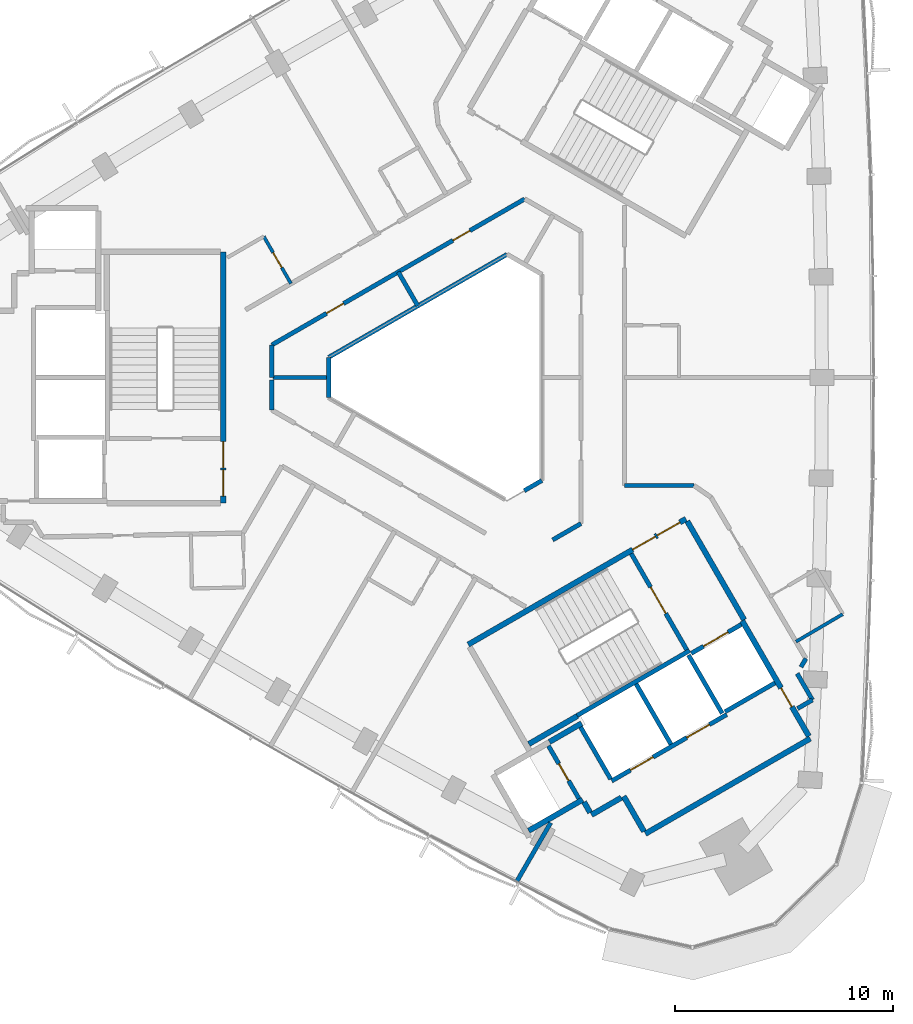
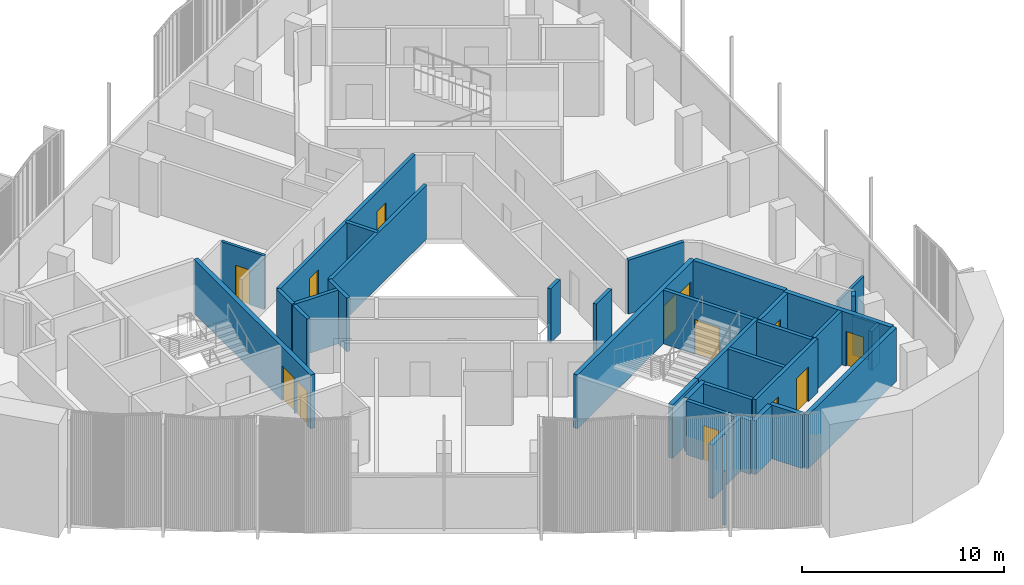
# One storey, part 9 of 16: 36 walls, 13 doors, 13 openings.
"""IFC4 building model written with IfcOpenShell, lengths in metres."""

import ifcopenshell
import ifcopenshell.guid

model = None  # the IFC model being written
_history = None  # IfcOwnerHistory: only IFC2X3 demands one
_inside = {}  # id of a spatial element -> (the spatial element, [elements in it])
_under = {}  # id of a project, library or spatial element -> (it, [spatial elements below it])
_declared = {}  # id of a project -> (the project, [libraries it declares])
_typed = {}  # id of a type object -> (the type object, [elements of that type])
_made_of = {}  # id of a material, layer set ... -> (it, [elements and type objects made of it])


def new_model(schema):
    """Start an empty IFC model of exactly this schema.

    Asked for "IFC4X3", IfcOpenShell would pick the latest addendum, in which some entities
    have other attributes; the version numbers below select the first issue.
    IFC2X3 requires an IfcOwnerHistory on every rooted entity: one is made here for all.
    """
    global model, _history
    if schema == "IFC4X3":
        model = ifcopenshell.file(schema_version=(4, 3, 0, 0))
    else:
        model = ifcopenshell.file(schema=schema)
    _inside.clear()
    _under.clear()
    _declared.clear()
    _typed.clear()
    _made_of.clear()
    _history = None
    if model.schema == "IFC2X3":
        org = make("IfcOrganization", Name="unknown")
        user = make(
            "IfcPersonAndOrganization",
            ThePerson=make("IfcPerson", FamilyName="unknown"),
            TheOrganization=org,
        )
        app = make(
            "IfcApplication",
            ApplicationDeveloper=org,
            Version="unknown",
            ApplicationFullName="unknown",
            ApplicationIdentifier="unknown",
        )
        _history = make(
            "IfcOwnerHistory",
            OwningUser=user,
            OwningApplication=app,
            ChangeAction="ADDED",
            CreationDate=0,
        )
    return model


def make(cls, **values):
    """One entity of the class cls with the attributes given. An attribute that is None is left unset."""
    return model.create_entity(
        cls, **{name: value for name, value in values.items() if value is not None}
    )


def rooted(cls, **values):
    """An entity with a GlobalId (a new one), such as an element, a storey or a relation."""
    return make(cls, GlobalId=ifcopenshell.guid.new(), OwnerHistory=_history, **values)


def si_unit(unit_type, name, prefix=None):
    """IfcSIUnit, for example si_unit("LENGTHUNIT", "METRE", prefix="MILLI")."""
    return make("IfcSIUnit", UnitType=unit_type, Prefix=prefix, Name=name)


def assignment(units):
    """IfcUnitAssignment: the units of a project."""
    return None if units is None else make("IfcUnitAssignment", Units=units)


def point(xyz):
    """IfcCartesianPoint."""
    return None if xyz is None else make("IfcCartesianPoint", Coordinates=xyz)


def direction(xyz):
    """IfcDirection."""
    return None if xyz is None else make("IfcDirection", DirectionRatios=xyz)


def frame(location, z_axis=None, x_axis=None):
    """IfcAxis2Placement3D, a coordinate frame: its origin and axes. An axis left out is left unset."""
    return make(
        "IfcAxis2Placement3D",
        Location=point(location),
        Axis=direction(z_axis),
        RefDirection=direction(x_axis),
    )


def frame_2d(location, x_axis=None):
    """IfcAxis2Placement2D, a coordinate frame in the plane: its origin and x axis."""
    return make(
        "IfcAxis2Placement2D", Location=point(location), RefDirection=direction(x_axis)
    )


def origin():
    """The frame at (0, 0, 0) with its axes left unset."""
    return frame((0.0, 0.0, 0.0))


def place(relative_to, where):
    """IfcLocalPlacement: puts the frame where relative to a parent placement (None: the world)."""
    return make(
        "IfcLocalPlacement", PlacementRelTo=relative_to, RelativePlacement=where
    )


def context(
    kind, dimensions, precision=None, world=None, true_north=None, identifier=None
):
    """IfcGeometricRepresentationContext, for example the 3D "Model" context."""
    return make(
        "IfcGeometricRepresentationContext",
        ContextIdentifier=identifier,
        ContextType=kind,
        CoordinateSpaceDimension=dimensions,
        Precision=precision,
        WorldCoordinateSystem=world,
        TrueNorth=true_north,
    )


def subcontext(parent, identifier, kind, view, scale=None):
    """IfcGeometricRepresentationSubContext, for example "Body" below "Model"."""
    return make(
        "IfcGeometricRepresentationSubContext",
        ContextIdentifier=identifier,
        ContextType=kind,
        ParentContext=parent,
        TargetScale=scale,
        TargetView=view,
    )


def project(units=None, contexts=None):
    """IfcProject with its units and contexts."""
    return rooted(
        "IfcProject",
        Name="project",
        RepresentationContexts=contexts,
        UnitsInContext=assignment(units),
    )


def spatial(cls, under=None, at=None, **own):
    """A site, building, storey or space (cls), placed at a placement, below another one or the project."""
    s = rooted(cls, ObjectPlacement=at, **own)
    if under is not None:
        _under.setdefault(under.id(), (under, []))[1].append(s)
    return s


def profile(cls, at=None, kind="AREA", **sizes):
    """A parametric profile (cls). Its sizes go by their IFC names, for example OverallWidth=200.0."""
    return make(cls, ProfileType=kind, Position=at, **sizes)


def rectangle(**sizes):
    """IfcRectangleProfileDef."""
    return profile("IfcRectangleProfileDef", **sizes)


def extrude(swept, where, along, depth):
    """IfcExtrudedAreaSolid: the profile swept, set in the frame where, extruded along a direction by depth."""
    return make(
        "IfcExtrudedAreaSolid",
        SweptArea=swept,
        Position=where,
        ExtrudedDirection=direction(along),
        Depth=depth,
    )


def shape(context_of_items, identifier, shape_type, items):
    """IfcShapeRepresentation: the items that make up one representation, for example the "Body"."""
    return make(
        "IfcShapeRepresentation",
        ContextOfItems=context_of_items,
        RepresentationIdentifier=identifier,
        RepresentationType=shape_type,
        Items=items,
    )


def material(Name=None, Category=None):
    """IfcMaterial."""
    return make("IfcMaterial", Name=Name, Category=Category)


def layer(
    of_material, thickness, ventilated=None, Name=None, Category=None, Priority=None
):
    """IfcMaterialLayer: one layer of a wall or slab, of a material (None: an air gap)."""
    return make(
        "IfcMaterialLayer",
        Material=of_material,
        LayerThickness=thickness,
        IsVentilated=ventilated,
        Name=Name,
        Category=Category,
        Priority=Priority,
    )


def layer_set(layers, Name=None):
    """IfcMaterialLayerSet."""
    return make("IfcMaterialLayerSet", MaterialLayers=layers, LayerSetName=Name)


def made_of(thing, what):
    """Note that an element or type object is made of a material, layer set ...; save() writes the relation."""
    if what is not None:
        _made_of.setdefault(what.id(), (what, []))[1].append(thing)
    return thing


def type_object(cls, material=None, **own):
    """A type object (cls), such as IfcWallType, which elements share."""
    return made_of(rooted(cls, **own), material)


def element(
    cls,
    number,
    at=None,
    inside=None,
    cuts=None,
    type_object=None,
    material=None,
    context=None,
    identifier="Body",
    shape_type=None,
    held_by="IfcProductDefinitionShape",
    body=None,
    shapes=None,
    **own,
):
    """One element of the class cls, such as IfcWall. Its Tag is "e" and its number.

    at: its placement. inside: the storey or other place that contains it. cuts: it is an
    opening in that element (IfcRelVoidsElement). A single representation is given by context,
    identifier, shape_type and body (its items); several are given by shapes. held_by: the class
    of the entity that holds the representations. save() writes the other relations.
    """
    e = rooted(cls, Tag="e%d" % number, ObjectPlacement=at, **own)
    if body is not None:
        shapes = [shape(context, identifier, shape_type, body)]
    if shapes is not None:
        e.Representation = make(held_by, Representations=shapes)
    if inside is not None:
        _inside.setdefault(inside.id(), (inside, []))[1].append(e)
    if cuts is not None:
        rooted(
            "IfcRelVoidsElement", RelatingBuildingElement=cuts, RelatedOpeningElement=e
        )
    if type_object is not None:
        _typed.setdefault(type_object.id(), (type_object, []))[1].append(e)
    return made_of(e, material)


def fill(opening, filler):
    """IfcRelFillsElement: the door or window that sits in an opening."""
    return rooted(
        "IfcRelFillsElement",
        RelatingOpeningElement=opening,
        RelatedBuildingElement=filler,
    )


def aggregate(whole, parts):
    """IfcRelAggregates: a whole, such as a stair, and the parts it consists of."""
    return rooted("IfcRelAggregates", RelatingObject=whole, RelatedObjects=parts)


def save(model, path):
    """Write the relations noted so far, then the file.

    IfcRelAggregates (storeys below a building ...), IfcRelContainedInSpatialStructure (elements
    in a storey), IfcRelDefinesByType, IfcRelAssociatesMaterial and IfcRelDeclares: one each for
    every whole, place, type object, material and project.
    """
    for whole, parts in _under.values():
        aggregate(whole, parts)
    for where, things in _inside.values():
        rooted(
            "IfcRelContainedInSpatialStructure",
            RelatedElements=things,
            RelatingStructure=where,
        )
    for kind, things in _typed.values():
        rooted("IfcRelDefinesByType", RelatedObjects=things, RelatingType=kind)
    for what, things in _made_of.values():
        rooted("IfcRelAssociatesMaterial", RelatedObjects=things, RelatingMaterial=what)
    for by, libraries in _declared.values():
        rooted("IfcRelDeclares", RelatingContext=by, RelatedDefinitions=libraries)
    model.write(path)


model = new_model("IFC4")

# Units and contexts
model_context = context("Model", 3, precision=1e-05, world=origin(), true_north=direction((0.0, 1.0)))
body_context = subcontext(model_context, "Body", "Model", "MODEL_VIEW")
ifc_project = project(units=[si_unit("LENGTHUNIT", "METRE"), si_unit("AREAUNIT", "SQUARE_METRE"), si_unit("VOLUMEUNIT", "CUBIC_METRE"), si_unit("PLANEANGLEUNIT", "RADIAN"), si_unit("MASSUNIT", "GRAM", prefix="KILO")], contexts=[model_context])

# Site, building, storey
site_placement = place(None, origin())
site = spatial("IfcSite", under=ifc_project, at=site_placement, CompositionType="ELEMENT")
building_placement = place(site_placement, origin())
building = spatial("IfcBuilding", under=site, at=building_placement, Name="Tamra Quay Hotel Tower", CompositionType="ELEMENT")
storey_placement = place(building_placement, frame((0.0, 0.0, 232.199951171875)))
storey = spatial("IfcBuildingStorey", under=building, at=storey_placement, Name="L58", CompositionType="ELEMENT", Elevation=232.199951171875)

# Wall
ifc_material_1 = material(Name="Concrete M70", Category="concrete")
ifc_layer_1 = layer(ifc_material_1, 0.199951171875)
ifc_layer_set_1 = layer_set([ifc_layer_1], Name="Concrete M70 core wall 200")
wall_type_1 = type_object("IfcWallType", Name="Concrete M70 core wall 200", PredefinedType="SHEAR", material=ifc_layer_set_1)
wall_1_placement = place(storey_placement, frame((5.4189453125, -15.533935546875, 0.0), z_axis=(0.0, 0.0, 1.0), x_axis=(0.866029065029, 0.499993658486, 0.0)))
element("IfcWall", 1, at=wall_1_placement, inside=storey, type_object=wall_type_1, Name="CW2", PredefinedType="SHEAR", context=body_context, shape_type="SweptSolid", body=[
    extrude(rectangle(XDim=5.97412109375, YDim=0.199951171875, at=frame_2d((2.987060546875, 0.0))), origin(), (0.0, 0.0, 1.0), 3.25),
])

# Wall, openings, doors
wall_2_placement = place(storey_placement, frame((7.009765625, -18.54150390625, 0.0), z_axis=(0.0, 0.0, 1.0), x_axis=(0.866030299012, 0.499991521122, 0.0)))
wall_2 = element("IfcWall", 2, at=wall_2_placement, inside=storey, type_object=wall_type_1, Name="CW2", PredefinedType="SHEAR", context=body_context, shape_type="SweptSolid", body=[
    extrude(rectangle(XDim=6.10009765625, YDim=0.199951171875, at=frame_2d((3.050048828125, 0.0))), origin(), (0.0, 0.0, 1.0), 3.25),
])
opening_1_placement = place(wall_2_placement, frame((1.0, 0.0, 0.0)))
opening_1 = element("IfcOpeningElement", 3, at=opening_1_placement, cuts=wall_2, Name="Opening LD", PredefinedType="OPENING", context=body_context, shape_type="SweptSolid", body=[
    extrude(rectangle(XDim=1.199951171875, YDim=2.10009765625, at=frame_2d((0.60009765625, 1.050048828125))), frame((0.0, 0.10986328125, 0.0), z_axis=(0.0, -1.0, 0.0), x_axis=(1.0, 0.0, 0.0)), (0.0, 0.0, 1.0), 0.219970703125),
])
opening_2_placement = place(wall_2_placement, frame((3.982177734375, 0.0, 0.0)))
opening_2 = element("IfcOpeningElement", 4, at=opening_2_placement, cuts=wall_2, Name="Opening LD", PredefinedType="OPENING", context=body_context, shape_type="SweptSolid", body=[
    extrude(rectangle(XDim=1.199951171875, YDim=2.10009765625, at=frame_2d((0.60009765625, 1.050048828125))), frame((0.0, 0.10986328125, 0.0), z_axis=(0.0, -1.0, 0.0), x_axis=(1.0, 0.0, 0.0)), (0.0, 0.0, 1.0), 0.219970703125),
])
ifc_material_2 = material(Name="Landing door LD 1200 double door sliding")
door_type_1 = type_object("IfcDoorType", Name="Landing door LD 1200 double door sliding", OperationType="DOUBLE_DOOR_SLIDING", PredefinedType="DOOR", material=ifc_material_2)
door_1_placement = place(opening_1_placement, origin())
door_1 = element("IfcDoor", 5, at=door_1_placement, inside=storey, type_object=door_type_1, Name="LD", OperationType="DOUBLE_DOOR_SLIDING", OverallHeight=2.10009765625, OverallWidth=1.199951171875, PredefinedType="DOOR", context=body_context, shape_type="SweptSolid", body=[
    extrude(rectangle(XDim=1.199951171875, YDim=2.10009765625, at=frame_2d((0.60009765625, 1.050048828125))), frame((0.0, 0.02490234375, 0.0), z_axis=(0.0, -1.0, 0.0), x_axis=(1.0, 0.0, 0.0)), (0.0, 0.0, 1.0), 0.050048828125),
])
fill(opening_1, door_1)
door_2_placement = place(opening_2_placement, origin())
door_2 = element("IfcDoor", 6, at=door_2_placement, inside=storey, type_object=door_type_1, Name="LD", OperationType="DOUBLE_DOOR_SLIDING", OverallHeight=2.10009765625, OverallWidth=1.199951171875, PredefinedType="DOOR", context=body_context, shape_type="SweptSolid", body=[
    extrude(rectangle(XDim=1.199951171875, YDim=2.10009765625, at=frame_2d((0.60009765625, 1.050048828125))), frame((0.0, 0.02490234375, 0.0), z_axis=(0.0, -1.0, 0.0), x_axis=(1.0, 0.0, 0.0)), (0.0, 0.0, 1.0), 0.050048828125),
])
fill(opening_2, door_2)

# Wall, opening, door
wall_3_placement = place(storey_placement, frame((7.906494140625, -8.094482421875, 0.0), z_axis=(0.0, 0.0, 1.0), x_axis=(0.500027839223, -0.866009330205, 0.0)))
wall_3 = element("IfcWall", 7, at=wall_3_placement, inside=storey, type_object=wall_type_1, Name="CW2", PredefinedType="SHEAR", context=body_context, shape_type="SweptSolid", body=[
    extrude(rectangle(XDim=5.097900390625, YDim=0.199951171875, at=frame_2d((2.548828125, 0.0))), origin(), (0.0, 0.0, 1.0), 3.25),
])
opening_3_placement = place(wall_3_placement, frame((1.77392578125, 0.0, 0.0)))
opening_3 = element("IfcOpeningElement", 8, at=opening_3_placement, cuts=wall_3, Name="Opening FD2", PredefinedType="OPENING", context=body_context, shape_type="SweptSolid", body=[
    extrude(rectangle(XDim=1.39990234375, YDim=2.10009765625, at=frame_2d((0.699951171875, 1.050048828125))), frame((0.0, 0.10986328125, 0.0), z_axis=(0.0, -1.0, 0.0), x_axis=(1.0, 0.0, 0.0)), (0.0, 0.0, 1.0), 0.219970703125),
])
ifc_material_3 = material(Name="Core door FD2 1400x2100 LH")
door_type_2 = type_object("IfcDoorType", Name="Core door FD2 1400x2100 LH", OperationType="NOTDEFINED", PredefinedType="DOOR", material=ifc_material_3)
door_3_placement = place(opening_3_placement, origin())
door_3 = element("IfcDoor", 9, at=door_3_placement, inside=storey, type_object=door_type_2, Name="FD2", OperationType="SINGLE_SWING_LEFT", OverallHeight=2.10009765625, OverallWidth=1.39990234375, PredefinedType="DOOR", context=body_context, shape_type="SweptSolid", body=[
    extrude(rectangle(XDim=1.39990234375, YDim=2.10009765625, at=frame_2d((0.699951171875, 1.050048828125))), frame((0.0, 0.02490234375, 0.0), z_axis=(0.0, -1.0, 0.0), x_axis=(1.0, 0.0, 0.0)), (0.0, 0.0, 1.0), 0.050048828125),
])
fill(opening_3, door_3)

# Wall
wall_4_placement = place(storey_placement, frame((8.131591796875, -14.084228515625, 0.0), z_axis=(0.0, 0.0, 1.0), x_axis=(0.499997778408, -0.866026686418, 0.0)))
element("IfcWall", 10, at=wall_4_placement, inside=storey, type_object=wall_type_1, Name="CW2", PredefinedType="SHEAR", context=body_context, shape_type="SweptSolid", body=[
    extrude(rectangle(XDim=3.1982421875, YDim=0.199951171875, at=frame_2d((1.59912109375, 0.0))), origin(), (0.0, 0.0, 1.0), 3.25),
])

# Wall, opening, door
wall_5_placement = place(storey_placement, frame((5.50341796875, -19.352294921875, 0.0), z_axis=(0.0, 0.0, 1.0), x_axis=(-0.499986818241, 0.866033014143, 0.0)))
wall_5 = element("IfcWall", 11, at=wall_5_placement, inside=storey, type_object=wall_type_1, Name="CW2", PredefinedType="SHEAR", context=body_context, shape_type="SweptSolid", body=[
    extrude(rectangle(XDim=2.7978515625, YDim=0.199951171875, at=frame_2d((1.39892578125, 0.0))), origin(), (0.0, 0.0, 1.0), 3.25),
])
opening_4_placement = place(wall_5_placement, frame((0.948974609375, 0.0, 0.0)))
opening_4 = element("IfcOpeningElement", 12, at=opening_4_placement, cuts=wall_5, Name="Opening D1", PredefinedType="OPENING", context=body_context, shape_type="SweptSolid", body=[
    extrude(rectangle(XDim=0.89990234375, YDim=2.10009765625, at=frame_2d((0.449951171875, 1.050048828125))), frame((0.0, 0.10986328125, 0.0), z_axis=(0.0, -1.0, 0.0), x_axis=(1.0, 0.0, 0.0)), (0.0, 0.0, 1.0), 0.219970703125),
])
ifc_material_4 = material(Name="Core door D1 900x2100 RH")
door_type_3 = type_object("IfcDoorType", Name="Core door D1 900x2100 RH", OperationType="NOTDEFINED", PredefinedType="DOOR", material=ifc_material_4)
door_4_placement = place(opening_4_placement, origin())
door_4 = element("IfcDoor", 13, at=door_4_placement, inside=storey, type_object=door_type_3, Name="D1", OperationType="SINGLE_SWING_RIGHT", OverallHeight=2.10009765625, OverallWidth=0.89990234375, PredefinedType="DOOR", context=body_context, shape_type="SweptSolid", body=[
    extrude(rectangle(XDim=0.89990234375, YDim=2.10009765625, at=frame_2d((0.449951171875, 1.050048828125))), frame((0.0, 0.02490234375, 0.0), z_axis=(0.0, -1.0, 0.0), x_axis=(1.0, 0.0, 0.0)), (0.0, 0.0, 1.0), 0.050048828125),
])
fill(opening_4, door_4)

# Walls
wall_6_placement = place(storey_placement, frame((6.959716796875, -18.455078125, 0.0), z_axis=(0.0, 0.0, 1.0), x_axis=(-0.499926705758, 0.866067716099, 0.0)))
element("IfcWall", 14, at=wall_6_placement, inside=storey, type_object=wall_type_1, Name="CW2", PredefinedType="SHEAR", context=body_context, shape_type="SweptSolid", body=[
    extrude(rectangle(XDim=2.75927734375, YDim=0.199951171875, at=frame_2d((1.379638671875, 0.0))), origin(), (0.0, 0.0, 1.0), 3.25),
])
wall_7_placement = place(storey_placement, frame((12.087646484375, -15.4365234375, 0.0), z_axis=(0.0, 0.0, 1.0), x_axis=(-0.500026960575, 0.86600983753, 0.0)))
element("IfcWall", 15, at=wall_7_placement, inside=storey, type_object=wall_type_1, Name="CW2", PredefinedType="SHEAR", context=body_context, shape_type="SweptSolid", body=[
    extrude(rectangle(XDim=3.099853515625, YDim=0.199951171875, at=frame_2d((1.5498046875, 0.0))), origin(), (0.0, 0.0, 1.0), 3.25),
])

# Wall, opening, door
wall_8_placement = place(storey_placement, frame((10.666015625, -12.677734375, 0.0), z_axis=(0.0, 0.0, 1.0), x_axis=(0.866018407898, 0.500012117035, 0.0)))
wall_8 = element("IfcWall", 16, at=wall_8_placement, inside=storey, type_object=wall_type_1, Name="CW2", PredefinedType="SHEAR", context=body_context, shape_type="SweptSolid", body=[
    extrude(rectangle(XDim=2.65087890625, YDim=0.199951171875, at=frame_2d((1.325439453125, 0.0))), origin(), (0.0, 0.0, 1.0), 3.25),
])
opening_5_placement = place(wall_8_placement, frame((0.65185546875, 0.0, 0.0)))
opening_5 = element("IfcOpeningElement", 17, at=opening_5_placement, cuts=wall_8, Name="Opening LD", PredefinedType="OPENING", context=body_context, shape_type="SweptSolid", body=[
    extrude(rectangle(XDim=1.300048828125, YDim=2.10009765625, at=frame_2d((0.64990234375, 1.050048828125))), frame((0.0, 0.10986328125, 0.0), z_axis=(0.0, -1.0, 0.0), x_axis=(1.0, 0.0, 0.0)), (0.0, 0.0, 1.0), 0.219970703125),
])
ifc_material_5 = material(Name="Landing door LD 1300 sliding to left")
door_type_4 = type_object("IfcDoorType", Name="Landing door LD 1300 sliding to left", OperationType="NOTDEFINED", PredefinedType="DOOR", material=ifc_material_5)
door_5_placement = place(opening_5_placement, origin())
door_5 = element("IfcDoor", 18, at=door_5_placement, inside=storey, type_object=door_type_4, Name="LD", OperationType="SLIDING_TO_LEFT", OverallHeight=2.10009765625, OverallWidth=1.300048828125, PredefinedType="DOOR", context=body_context, shape_type="SweptSolid", body=[
    extrude(rectangle(XDim=1.300048828125, YDim=2.10009765625, at=frame_2d((0.64990234375, 1.050048828125))), frame((0.0, 0.02490234375, 0.0), z_axis=(0.0, -1.0, 0.0), x_axis=(1.0, 0.0, 0.0)), (0.0, 0.0, 1.0), 0.050048828125),
])
fill(opening_5, door_5)

# Wall
wall_9_placement = place(storey_placement, frame((14.51171875, -14.037109375, 0.0), z_axis=(0.0, 0.0, 1.0), x_axis=(-0.866018407898, -0.500012117035, 0.0)))
element("IfcWall", 19, at=wall_9_placement, inside=storey, type_object=wall_type_1, Name="CW2", PredefinedType="SHEAR", context=body_context, shape_type="SweptSolid", body=[
    extrude(rectangle(XDim=2.65087890625, YDim=0.199951171875, at=frame_2d((1.325439453125, 0.0))), origin(), (0.0, 0.0, 1.0), 3.25),
])

# Wall, openings, doors
ifc_layer_2 = layer(ifc_material_1, 0.25)
ifc_layer_set_2 = layer_set([ifc_layer_2], Name="Concrete M70 core wall 250")
wall_type_2 = type_object("IfcWallType", Name="Concrete M70 core wall 250", PredefinedType="SHEAR", material=ifc_layer_set_2)
wall_10_placement = place(storey_placement, frame((-10.83740234375, 5.77490234375, 0.0), z_axis=(0.0, 0.0, 1.0), x_axis=(0.0, -1.0, 0.0)))
wall_10 = element("IfcWall", 20, at=wall_10_placement, inside=storey, type_object=wall_type_2, Name="CW1", PredefinedType="SHEAR", context=body_context, shape_type="SweptSolid", body=[
    extrude(rectangle(XDim=11.5498046875, YDim=0.25, at=frame_2d((5.77490234375, 0.0))), origin(), (0.0, 0.0, 1.0), 3.25),
])
opening_6_placement = place(wall_10_placement, frame((10.02490234375, 0.0, 0.0)))
opening_6 = element("IfcOpeningElement", 21, at=opening_6_placement, cuts=wall_10, Name="Opening FD1", PredefinedType="OPENING", context=body_context, shape_type="SweptSolid", body=[
    extrude(rectangle(XDim=1.199951171875, YDim=2.10009765625, at=frame_2d((0.60009765625, 1.050048828125))), frame((0.0, 0.135009765625, 0.0), z_axis=(0.0, -1.0, 0.0), x_axis=(1.0, 0.0, 0.0)), (0.0, 0.0, 1.0), 0.27001953125),
])
opening_7_placement = place(wall_10_placement, frame((8.72509765625, 0.0, 0.0)))
opening_7 = element("IfcOpeningElement", 22, at=opening_7_placement, cuts=wall_10, Name="Opening FD1", PredefinedType="OPENING", context=body_context, shape_type="SweptSolid", body=[
    extrude(rectangle(XDim=1.199951171875, YDim=2.10009765625, at=frame_2d((0.60009765625, 1.050048828125))), frame((0.0, 0.135009765625, 0.0), z_axis=(0.0, -1.0, 0.0), x_axis=(1.0, 0.0, 0.0)), (0.0, 0.0, 1.0), 0.27001953125),
])
ifc_material_6 = material(Name="Core door FD1 1200x2100 LH")
door_type_5 = type_object("IfcDoorType", Name="Core door FD1 1200x2100 LH", OperationType="NOTDEFINED", PredefinedType="DOOR", material=ifc_material_6)
door_6_placement = place(opening_6_placement, origin())
door_6 = element("IfcDoor", 23, at=door_6_placement, inside=storey, type_object=door_type_5, Name="FD1", OperationType="SINGLE_SWING_LEFT", OverallHeight=2.10009765625, OverallWidth=1.199951171875, PredefinedType="DOOR", context=body_context, shape_type="SweptSolid", body=[
    extrude(rectangle(XDim=1.199951171875, YDim=2.10009765625, at=frame_2d((0.60009765625, 1.050048828125))), frame((0.0, 0.02490234375, 0.0), z_axis=(0.0, -1.0, 0.0), x_axis=(1.0, 0.0, 0.0)), (0.0, 0.0, 1.0), 0.050048828125),
])
fill(opening_6, door_6)
ifc_material_7 = material(Name="Core door FD1 1200x2100 RH")
door_type_6 = type_object("IfcDoorType", Name="Core door FD1 1200x2100 RH", OperationType="NOTDEFINED", PredefinedType="DOOR", material=ifc_material_7)
door_7_placement = place(opening_7_placement, origin())
door_7 = element("IfcDoor", 24, at=door_7_placement, inside=storey, type_object=door_type_6, Name="FD1", OperationType="SINGLE_SWING_RIGHT", OverallHeight=2.10009765625, OverallWidth=1.199951171875, PredefinedType="DOOR", context=body_context, shape_type="SweptSolid", body=[
    extrude(rectangle(XDim=1.199951171875, YDim=2.10009765625, at=frame_2d((0.60009765625, 1.050048828125))), frame((0.0, 0.02490234375, 0.0), z_axis=(0.0, -1.0, 0.0), x_axis=(1.0, 0.0, 0.0)), (0.0, 0.0, 1.0), 0.050048828125),
])
fill(opening_7, door_7)

wall_11_placement = place(storey_placement, frame((0.417236328125, -12.27294921875, 0.0), z_axis=(0.0, 0.0, 1.0), x_axis=(0.866021906294, 0.500006057782, 0.0)))
wall_11 = element("IfcWall", 25, at=wall_11_placement, inside=storey, type_object=wall_type_2, Name="CW1", PredefinedType="SHEAR", context=body_context, shape_type="SweptSolid", body=[
    extrude(rectangle(XDim=11.550048828125, YDim=0.25, at=frame_2d((5.77490234375, 0.0))), origin(), (0.0, 0.0, 1.0), 3.25),
])
opening_8_placement = place(wall_11_placement, frame((10.024658203125, 0.0, 0.0)))
opening_8 = element("IfcOpeningElement", 26, at=opening_8_placement, cuts=wall_11, Name="Opening FD1", PredefinedType="OPENING", context=body_context, shape_type="SweptSolid", body=[
    extrude(rectangle(XDim=1.199951171875, YDim=2.10009765625, at=frame_2d((0.60009765625, 1.050048828125))), frame((0.0, 0.135009765625, 0.0), z_axis=(0.0, -1.0, 0.0), x_axis=(1.0, 0.0, 0.0)), (0.0, 0.0, 1.0), 0.27001953125),
])
opening_9_placement = place(wall_11_placement, frame((8.724609375, 0.0, 0.0)))
opening_9 = element("IfcOpeningElement", 27, at=opening_9_placement, cuts=wall_11, Name="Opening FD1", PredefinedType="OPENING", context=body_context, shape_type="SweptSolid", body=[
    extrude(rectangle(XDim=1.199951171875, YDim=2.10009765625, at=frame_2d((0.60009765625, 1.050048828125))), frame((0.0, 0.135009765625, 0.0), z_axis=(0.0, -1.0, 0.0), x_axis=(1.0, 0.0, 0.0)), (0.0, 0.0, 1.0), 0.27001953125),
])
door_8_placement = place(opening_8_placement, origin())
door_8 = element("IfcDoor", 28, at=door_8_placement, inside=storey, type_object=door_type_5, Name="FD1", OperationType="SINGLE_SWING_LEFT", OverallHeight=2.10009765625, OverallWidth=1.199951171875, PredefinedType="DOOR", context=body_context, shape_type="SweptSolid", body=[
    extrude(rectangle(XDim=1.199951171875, YDim=2.10009765625, at=frame_2d((0.60009765625, 1.050048828125))), frame((0.0, 0.02490234375, 0.0), z_axis=(0.0, -1.0, 0.0), x_axis=(1.0, 0.0, 0.0)), (0.0, 0.0, 1.0), 0.050048828125),
])
fill(opening_8, door_8)
door_9_placement = place(opening_9_placement, origin())
door_9 = element("IfcDoor", 29, at=door_9_placement, inside=storey, type_object=door_type_6, Name="FD1", OperationType="SINGLE_SWING_RIGHT", OverallHeight=2.10009765625, OverallWidth=1.199951171875, PredefinedType="DOOR", context=body_context, shape_type="SweptSolid", body=[
    extrude(rectangle(XDim=1.199951171875, YDim=2.10009765625, at=frame_2d((0.60009765625, 1.050048828125))), frame((0.0, 0.02490234375, 0.0), z_axis=(0.0, -1.0, 0.0), x_axis=(1.0, 0.0, 0.0)), (0.0, 0.0, 1.0), 0.050048828125),
])
fill(opening_9, door_9)

# Wall
wall_12_placement = place(storey_placement, frame((16.13330078125, -16.59375, 0.0), z_axis=(0.0, 0.0, 1.0), x_axis=(-0.866022959057, -0.500004234368, 0.0)))
element("IfcWall", 30, at=wall_12_placement, inside=storey, type_object=wall_type_2, Name="CW1", PredefinedType="SHEAR", context=body_context, shape_type="SweptSolid", body=[
    extrude(rectangle(XDim=8.75, YDim=0.25, at=frame_2d((4.375, 0.0))), origin(), (0.0, 0.0, 1.0), 3.25),
])

# Wall, opening, door
wall_13_placement = place(storey_placement, frame((13.00830078125, -11.18115234375, 0.0), z_axis=(0.0, 0.0, 1.0), x_axis=(0.500001955336, -0.866024274868, 0.0)))
wall_13 = element("IfcWall", 31, at=wall_13_placement, inside=storey, type_object=wall_type_2, Name="CW1", PredefinedType="SHEAR", context=body_context, shape_type="SweptSolid", body=[
    extrude(rectangle(XDim=6.12451171875, YDim=0.25, at=frame_2d((3.062255859375, 0.0))), origin(), (0.0, 0.0, 1.0), 3.25),
])
opening_10_placement = place(wall_13_placement, frame((3.562744140625, 0.0, 0.0)))
opening_10 = element("IfcOpeningElement", 32, at=opening_10_placement, cuts=wall_13, Name="Opening FD3", PredefinedType="OPENING", context=body_context, shape_type="SweptSolid", body=[
    extrude(rectangle(XDim=1.0, YDim=2.10009765625, at=frame_2d((0.5, 1.050048828125))), frame((0.0, 0.135009765625, 0.0), z_axis=(0.0, -1.0, 0.0), x_axis=(1.0, 0.0, 0.0)), (0.0, 0.0, 1.0), 0.27001953125),
])
ifc_material_8 = material(Name="Core door FD3 1000x2100 LH")
door_type_7 = type_object("IfcDoorType", Name="Core door FD3 1000x2100 LH", OperationType="NOTDEFINED", PredefinedType="DOOR", material=ifc_material_8)
door_10_placement = place(opening_10_placement, origin())
door_10 = element("IfcDoor", 33, at=door_10_placement, inside=storey, type_object=door_type_7, Name="FD3", OperationType="SINGLE_SWING_LEFT", OverallHeight=2.10009765625, OverallWidth=1.0, PredefinedType="DOOR", context=body_context, shape_type="SweptSolid", body=[
    extrude(rectangle(XDim=1.0, YDim=2.10009765625, at=frame_2d((0.5, 1.050048828125))), frame((0.0, 0.02490234375, 0.0), z_axis=(0.0, -1.0, 0.0), x_axis=(1.0, 0.0, 0.0)), (0.0, 0.0, 1.0), 0.050048828125),
])
fill(opening_10, door_10)

# Walls
wall_14_placement = place(storey_placement, frame((10.482666015625, -6.6064453125, 0.0), z_axis=(0.0, 0.0, 1.0), x_axis=(0.49999885962, -0.866026062182, 0.0)))
element("IfcWall", 34, at=wall_14_placement, inside=storey, type_object=wall_type_2, Name="CW1", PredefinedType="SHEAR", context=body_context, shape_type="SweptSolid", body=[
    extrude(rectangle(XDim=5.224609375, YDim=0.25, at=frame_2d((2.6123046875, 0.0))), origin(), (0.0, 0.0, 1.0), 3.25),
])
wall_15_placement = place(storey_placement, frame((5.6748046875, -19.39892578125, 0.0), z_axis=(0.0, 0.0, 1.0), x_axis=(-0.866026637627, -0.499997862916, 0.0)))
element("IfcWall", 35, at=wall_15_placement, inside=storey, type_object=wall_type_2, Name="CW1", PredefinedType="SHEAR", context=body_context, shape_type="SweptSolid", body=[
    extrude(rectangle(XDim=2.86474609375, YDim=0.25, at=frame_2d((1.432373046875, 0.0))), origin(), (0.0, 0.0, 1.0), 3.25),
])
wall_16_placement = place(storey_placement, frame((5.4306640625, -15.55615234375, 0.0), z_axis=(0.0, 0.0, 1.0), x_axis=(-0.866022940537, -0.500004266446, 0.0)))
element("IfcWall", 36, at=wall_16_placement, inside=storey, type_object=wall_type_2, Name="CW1", PredefinedType="SHEAR", context=body_context, shape_type="SweptSolid", body=[
    extrude(rectangle(XDim=2.57470703125, YDim=0.25, at=frame_2d((1.287353515625, 0.0))), origin(), (0.0, 0.0, 1.0), 3.25),
])
wall_17_placement = place(storey_placement, frame((8.492919921875, -20.860107421875, 0.0), z_axis=(0.0, 0.0, 1.0), x_axis=(-0.500039802285, 0.866002422705, 0.0)))
element("IfcWall", 37, at=wall_17_placement, inside=storey, type_object=wall_type_2, Name="CW1", PredefinedType="SHEAR", context=body_context, shape_type="SweptSolid", body=[
    extrude(rectangle(XDim=1.864501953125, YDim=0.25, at=frame_2d((0.93212890625, 0.0))), origin(), (0.0, 0.0, 1.0), 3.25),
])
wall_18_placement = place(storey_placement, frame((4.144775390625, -16.748779296875, 0.0), z_axis=(0.0, 0.0, 1.0), x_axis=(0.866038183914, 0.499977863513, 0.0)))
element("IfcWall", 38, at=wall_18_placement, inside=storey, type_object=wall_type_2, Name="CW1", PredefinedType="SHEAR", context=body_context, shape_type="SweptSolid", body=[
    extrude(rectangle(XDim=1.7099609375, YDim=0.25, at=frame_2d((0.85498046875, 0.0))), origin(), (0.0, 0.0, 1.0), 3.25),
])
wall_19_placement = place(storey_placement, frame((7.451904296875, -19.30810546875, 0.0), z_axis=(0.0, 0.0, 1.0), x_axis=(-0.866044474677, -0.49996696679, 0.0)))
element("IfcWall", 39, at=wall_19_placement, inside=storey, type_object=wall_type_2, Name="CW1", PredefinedType="SHEAR", context=body_context, shape_type="SweptSolid", body=[
    extrude(rectangle(XDim=1.58447265625, YDim=0.25, at=frame_2d((0.792236328125, 0.0))), origin(), (0.0, 0.0, 1.0), 3.25),
])
wall_20_placement = place(storey_placement, frame((6.01708984375, -19.99169921875, 0.0), z_axis=(0.0, 0.0, 1.0), x_axis=(-0.500364886717, 0.865814633822, 0.0)))
element("IfcWall", 40, at=wall_20_placement, inside=storey, type_object=wall_type_2, Name="CW1", PredefinedType="SHEAR", context=body_context, shape_type="SweptSolid", body=[
    extrude(rectangle(XDim=0.55908203125, YDim=0.25, at=frame_2d((0.279541015625, 0.0))), origin(), (0.0, 0.0, 1.0), 3.25),
])

# Wall, openings, doors
ifc_material_9 = material(Name="Partition corridor wall")
ifc_layer_3 = layer(ifc_material_9, 0.199951171875)
ifc_layer_set_3 = layer_set([ifc_layer_3], Name="Partition corridor wall")
wall_type_3 = type_object("IfcWallType", Name="Partition corridor wall", PredefinedType="PARTITIONING", material=ifc_layer_set_3)
wall_21_placement = place(storey_placement, frame((-8.6123046875, 1.494384765625, 0.0), z_axis=(0.0, 0.0, 1.0), x_axis=(0.8660441356, 0.49996755414, 0.0)))
wall_21 = element("IfcWall", 41, at=wall_21_placement, inside=storey, type_object=wall_type_3, Name="W-C", PredefinedType="PARTITIONING", context=body_context, shape_type="SweptSolid", body=[
    extrude(rectangle(XDim=13.42236328125, YDim=0.199951171875, at=frame_2d((6.711181640625, 0.0))), origin(), (0.0, 0.0, 1.0), 3.25),
])
opening_11_placement = place(wall_21_placement, frame((9.61083984375, 0.0, 0.0)))
opening_11 = element("IfcOpeningElement", 42, at=opening_11_placement, cuts=wall_21, Name="Opening L58-D019", PredefinedType="OPENING", context=body_context, shape_type="SweptSolid", body=[
    extrude(rectangle(XDim=0.89990234375, YDim=2.10009765625, at=frame_2d((0.449951171875, 1.050048828125))), frame((0.0, 0.10986328125, 0.0), z_axis=(0.0, -1.0, 0.0), x_axis=(1.0, 0.0, 0.0)), (0.0, 0.0, 1.0), 0.219970703125),
])
opening_12_placement = place(wall_21_placement, frame((2.9111328125, 0.0, 0.0)))
opening_12 = element("IfcOpeningElement", 43, at=opening_12_placement, cuts=wall_21, Name="Opening L58-D020", PredefinedType="OPENING", context=body_context, shape_type="SweptSolid", body=[
    extrude(rectangle(XDim=0.89990234375, YDim=2.10009765625, at=frame_2d((0.449951171875, 1.050048828125))), frame((0.0, 0.10986328125, 0.0), z_axis=(0.0, -1.0, 0.0), x_axis=(1.0, 0.0, 0.0)), (0.0, 0.0, 1.0), 0.219970703125),
])
ifc_material_10 = material(Name="Door service room 900x2100")
door_type_8 = type_object("IfcDoorType", Name="Door service room 900x2100", OperationType="NOTDEFINED", PredefinedType="DOOR", material=ifc_material_10)
door_11_placement = place(opening_11_placement, frame((0.89990234375, 0.0, 0.0), z_axis=(0.0, 0.0, 1.0), x_axis=(-1.0, 0.0, 0.0)))
door_11 = element("IfcDoor", 44, at=door_11_placement, inside=storey, type_object=door_type_8, Name="L58-D019", OperationType="SINGLE_SWING_LEFT", OverallHeight=2.10009765625, OverallWidth=0.89990234375, PredefinedType="DOOR", context=body_context, shape_type="SweptSolid", body=[
    extrude(rectangle(XDim=0.89990234375, YDim=2.10009765625, at=frame_2d((0.449951171875, 1.050048828125))), frame((0.0, 0.02490234375, 0.0), z_axis=(0.0, -1.0, 0.0), x_axis=(1.0, 0.0, 0.0)), (0.0, 0.0, 1.0), 0.050048828125),
])
fill(opening_11, door_11)
door_12_placement = place(opening_12_placement, frame((0.89990234375, 0.0, 0.0), z_axis=(0.0, 0.0, 1.0), x_axis=(-1.0, 0.0, 0.0)))
door_12 = element("IfcDoor", 45, at=door_12_placement, inside=storey, type_object=door_type_8, Name="L58-D020", OperationType="SINGLE_SWING_LEFT", OverallHeight=2.10009765625, OverallWidth=0.89990234375, PredefinedType="DOOR", context=body_context, shape_type="SweptSolid", body=[
    extrude(rectangle(XDim=0.89990234375, YDim=2.10009765625, at=frame_2d((0.449951171875, 1.050048828125))), frame((0.0, 0.02490234375, 0.0), z_axis=(0.0, -1.0, 0.0), x_axis=(1.0, 0.0, 0.0)), (0.0, 0.0, 1.0), 0.050048828125),
])
fill(opening_12, door_12)

# Walls
wall_22_placement = place(storey_placement, frame((-8.612060546875, -1.493896484375, 0.0), z_axis=(0.0, 0.0, 1.0), x_axis=(0.0, 1.0, 0.0)))
element("IfcWall", 46, at=wall_22_placement, inside=storey, type_object=wall_type_3, Name="W-C", PredefinedType="PARTITIONING", context=body_context, shape_type="SweptSolid", body=[
    extrude(rectangle(XDim=1.3828125, YDim=0.199951171875, at=frame_2d((0.69140625, 0.0))), origin(), (0.0, 0.0, 1.0), 3.25),
])
wall_23_placement = place(storey_placement, frame((-8.612060546875, -0.010986328125, 0.0), z_axis=(0.0, 0.0, 1.0), x_axis=(0.0, 1.0, 0.0)))
element("IfcWall", 47, at=wall_23_placement, inside=storey, type_object=wall_type_3, Name="W-C", PredefinedType="PARTITIONING", context=body_context, shape_type="SweptSolid", body=[
    extrude(rectangle(XDim=1.5048828125, YDim=0.199951171875, at=frame_2d((0.75244140625, 0.0))), origin(), (0.0, 0.0, 1.0), 3.25),
])
wall_24_placement = place(storey_placement, frame((4.2958984375, -7.462890625, 0.0), z_axis=(0.0, 0.0, 1.0), x_axis=(0.86632054743, 0.499488447414, 0.0)))
element("IfcWall", 48, at=wall_24_placement, inside=storey, type_object=wall_type_3, Name="W-C", PredefinedType="PARTITIONING", context=body_context, shape_type="SweptSolid", body=[
    extrude(rectangle(XDim=1.50537109375, YDim=0.199951171875, at=frame_2d((0.752685546875, 0.0))), origin(), (0.0, 0.0, 1.0), 3.25),
])
wall_25_placement = place(storey_placement, frame((7.60009765625, -4.966064453125, 0.0), z_axis=(0.0, 0.0, 1.0), x_axis=(1.0, 0.0, 0.0)))
element("IfcWall", 49, at=wall_25_placement, inside=storey, type_object=wall_type_3, Name="W-C", PredefinedType="PARTITIONING", context=body_context, shape_type="SweptSolid", body=[
    extrude(rectangle(XDim=3.19287109375, YDim=0.199951171875, at=frame_2d((1.596435546875, 0.0))), origin(), (0.0, 0.0, 1.0), 3.25),
])
wall_26_placement = place(storey_placement, frame((15.5498046875, -15.213134765625, 0.0), z_axis=(0.0, 0.0, 1.0), x_axis=(0.865989998118, 0.500061319399, 0.0)))
element("IfcWall", 50, at=wall_26_placement, inside=storey, type_object=wall_type_3, Name="W-C", PredefinedType="PARTITIONING", context=body_context, shape_type="SweptSolid", body=[
    extrude(rectangle(XDim=0.7900390625, YDim=0.199951171875, at=frame_2d((0.39501953125, 0.0))), origin(), (0.0, 0.0, 1.0), 2.35009765625),
])
wall_27_placement = place(storey_placement, frame((15.93310546875, -12.9150390625, 0.0), z_axis=(0.0, 0.0, 1.0), x_axis=(-0.502017930819, -0.864857211993, 0.0)))
element("IfcWall", 51, at=wall_27_placement, inside=storey, type_object=wall_type_3, Name="W-C", PredefinedType="PARTITIONING", context=body_context, shape_type="SweptSolid", body=[
    extrude(rectangle(XDim=0.450927734375, YDim=0.199951171875, at=frame_2d((0.2255859375, 0.0))), origin(), (0.0, 0.0, 1.0), 3.25),
])
wall_28_placement = place(storey_placement, frame((15.532958984375, -13.60400390625, 0.0), z_axis=(0.0, 0.0, 1.0), x_axis=(0.499978724804, -0.866037686676, 0.0)))
element("IfcWall", 52, at=wall_28_placement, inside=storey, type_object=wall_type_3, Name="W-C", PredefinedType="PARTITIONING", context=body_context, shape_type="SweptSolid", body=[
    extrude(rectangle(XDim=1.40185546875, YDim=0.199951171875, at=frame_2d((0.700927734375, 0.0))), origin(), (0.0, 0.0, 1.0), 2.35009765625),
])

# Wall, opening, door
ifc_material_11 = material(Name="Partition en-suite wall")
ifc_layer_4 = layer(ifc_material_11, 0.14990234375)
ifc_layer_set_4 = layer_set([ifc_layer_4], Name="Partition en-suite wall")
wall_type_4 = type_object("IfcWallType", Name="Partition en-suite wall", PredefinedType="PARTITIONING", material=ifc_layer_set_4)
wall_29_placement = place(storey_placement, frame((-8.97705078125, 6.47705078125, 0.0), z_axis=(0.0, 0.0, 1.0), x_axis=(0.499632127845, -0.86623769072, 0.0)))
wall_29 = element("IfcWall", 53, at=wall_29_placement, inside=storey, type_object=wall_type_4, Name="W-E", PredefinedType="PARTITIONING", context=body_context, shape_type="SweptSolid", body=[
    extrude(rectangle(XDim=2.49609375, YDim=0.14990234375, at=frame_2d((1.248046875, 0.0))), origin(), (0.0, 0.0, 1.0), 3.25),
])
opening_13_placement = place(wall_29_placement, frame((0.847412109375, 0.0, 0.0)))
opening_13 = element("IfcOpeningElement", 54, at=opening_13_placement, cuts=wall_29, Name="Opening L58-D006", PredefinedType="OPENING", context=body_context, shape_type="SweptSolid", body=[
    extrude(rectangle(XDim=0.800048828125, YDim=2.10009765625, at=frame_2d((0.39990234375, 1.050048828125))), frame((0.0, 0.0849609375, 0.0), z_axis=(0.0, -1.0, 0.0), x_axis=(1.0, 0.0, 0.0)), (0.0, 0.0, 1.0), 0.169921875),
])
ifc_material_12 = material(Name="Door en-suite 800x2100")
door_type_9 = type_object("IfcDoorType", Name="Door en-suite 800x2100", OperationType="NOTDEFINED", PredefinedType="DOOR", material=ifc_material_12)
door_13_placement = place(opening_13_placement, frame((0.800048828125, 0.0, 0.0), z_axis=(0.0, 0.0, 1.0), x_axis=(-1.0, 0.0, 0.0)))
door_13 = element("IfcDoor", 55, at=door_13_placement, inside=storey, type_object=door_type_9, Name="L58-D006", OperationType="SINGLE_SWING_LEFT", OverallHeight=2.10009765625, OverallWidth=0.800048828125, PredefinedType="DOOR", context=body_context, shape_type="SweptSolid", body=[
    extrude(rectangle(XDim=0.800048828125, YDim=2.10009765625, at=frame_2d((0.39990234375, 1.050048828125))), frame((0.0, 0.02490234375, 0.0), z_axis=(0.0, -1.0, 0.0), x_axis=(1.0, 0.0, 0.0)), (0.0, 0.0, 1.0), 0.050048828125),
])
fill(opening_13, door_13)

# Walls
wall_30_placement = place(storey_placement, frame((15.47998046875, -12.138916015625, 0.0), z_axis=(0.0, 0.0, 1.0), x_axis=(0.86187110735, 0.507127394562, 0.0)))
element("IfcWall", 56, at=wall_30_placement, inside=storey, type_object=wall_type_4, Name="W-E", PredefinedType="PARTITIONING", context=body_context, shape_type="SweptSolid", body=[
    extrude(rectangle(XDim=2.486572265625, YDim=0.14990234375, at=frame_2d((1.2431640625, 0.0))), origin(), (0.0, 0.0, 1.0), 2.35009765625),
])
ifc_material_13 = material(Name="Partition party wall")
ifc_layer_5 = layer(ifc_material_13, 0.199951171875)
ifc_layer_set_5 = layer_set([ifc_layer_5], Name="Partition party wall")
wall_type_5 = type_object("IfcWallType", Name="Partition party wall", PredefinedType="PARTITIONING", material=ifc_layer_set_5)
wall_31_placement = place(storey_placement, frame((-8.547119140625, 0.0, 0.0), z_axis=(0.0, 0.0, 1.0), x_axis=(1.0, 0.0, 0.0)))
element("IfcWall", 57, at=wall_31_placement, inside=storey, type_object=wall_type_5, Name="W-P", PredefinedType="PARTITIONING", context=body_context, shape_type="SweptSolid", body=[
    extrude(rectangle(XDim=2.547119140625, YDim=0.199951171875, at=frame_2d((1.2734375, 0.0))), origin(), (0.0, 0.0, 1.0), 3.25),
])
wall_32_placement = place(storey_placement, frame((-6.0, -0.924072265625, 0.0), z_axis=(0.0, 0.0, 1.0), x_axis=(0.0, 1.0, 0.0)))
element("IfcWall", 58, at=wall_32_placement, inside=storey, type_object=wall_type_5, Name="W-P", PredefinedType="PARTITIONING", context=body_context, shape_type="SweptSolid", body=[
    extrude(rectangle(XDim=1.84814453125, YDim=0.199951171875, at=frame_2d((0.924072265625, 0.0))), origin(), (0.0, 0.0, 1.0), 3.25),
])
wall_33_placement = place(storey_placement, frame((-5.999755859375, 0.923583984375, 0.0), z_axis=(0.0, 0.0, 1.0), x_axis=(0.866012967051, 0.500021540435, 0.0)))
element("IfcWall", 59, at=wall_33_placement, inside=storey, type_object=wall_type_5, Name="W-P", PredefinedType="PARTITIONING", context=body_context, shape_type="SweptSolid", body=[
    extrude(rectangle(XDim=9.46826171875, YDim=0.199951171875, at=frame_2d((4.734130859375, 0.0))), origin(), (0.0, 0.0, 1.0), 3.25),
])
wall_34_placement = place(storey_placement, frame((-2.800048828125, 4.85009765625, 0.0), z_axis=(0.0, 0.0, 1.0), x_axis=(0.500004188491, -0.866022985545, 0.0)))
element("IfcWall", 60, at=wall_34_placement, inside=storey, type_object=wall_type_5, Name="W-P", PredefinedType="PARTITIONING", context=body_context, shape_type="SweptSolid", body=[
    extrude(rectangle(XDim=1.80029296875, YDim=0.199951171875, at=frame_2d((0.900146484375, 0.0))), origin(), (0.0, 0.0, 1.0), 3.25),
])
wall_35_placement = place(storey_placement, frame((2.640380859375, -23.170166015625, 0.0), z_axis=(0.0, 0.0, 1.0), x_axis=(0.500017489778, 0.866015305821, 0.0)))
element("IfcWall", 61, at=wall_35_placement, inside=storey, type_object=wall_type_5, Name="W-P", PredefinedType="PARTITIONING", context=body_context, shape_type="SweptSolid", body=[
    extrude(rectangle(XDim=3.1279296875, YDim=0.199951171875, at=frame_2d((1.56396484375, 0.0))), origin(), (0.0, 0.0, 1.0), 3.25),
])
wall_36_placement = place(storey_placement, frame((2.989990234375, -5.201904296875, 0.0), z_axis=(0.0, 0.0, 1.0), x_axis=(0.865872609263, 0.500264554538, 0.0)))
element("IfcWall", 62, at=wall_36_placement, inside=storey, type_object=wall_type_5, Name="W-P", PredefinedType="PARTITIONING", context=body_context, shape_type="SweptSolid", body=[
    extrude(rectangle(XDim=0.935546875, YDim=0.199951171875, at=frame_2d((0.4677734375, 0.0))), origin(), (0.0, 0.0, 1.0), 3.25),
])

save(model, "model.ifc")
